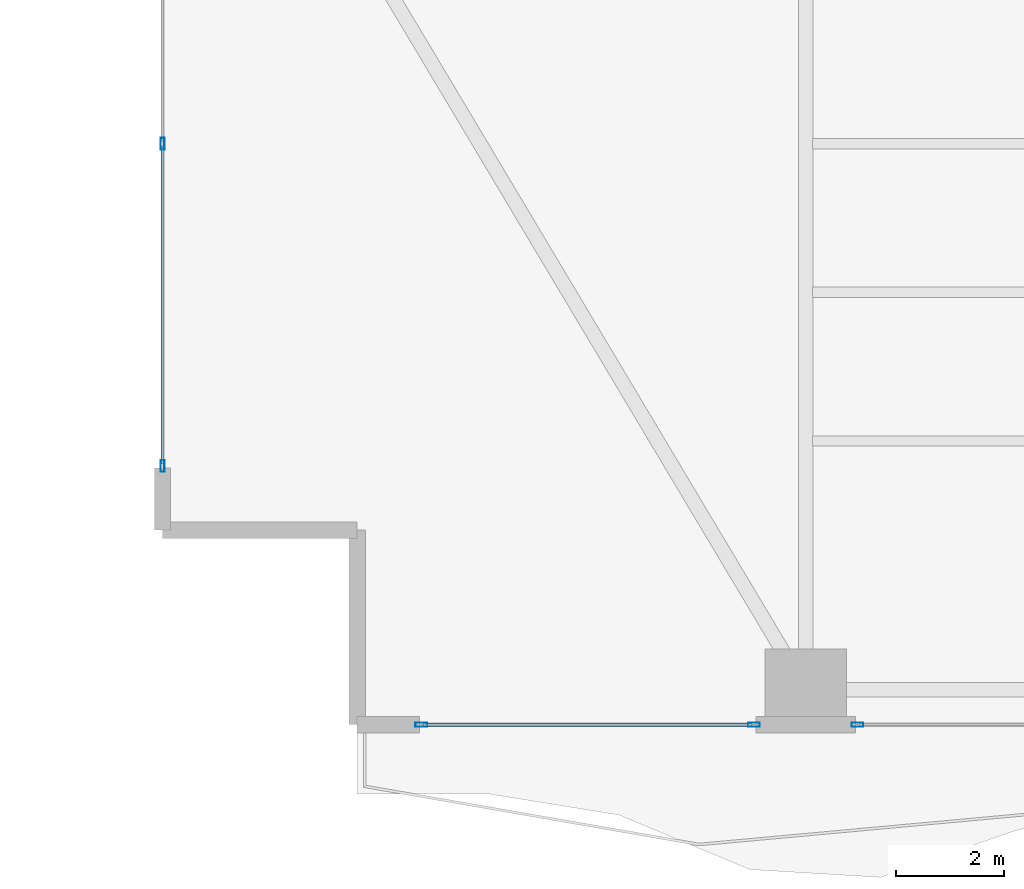
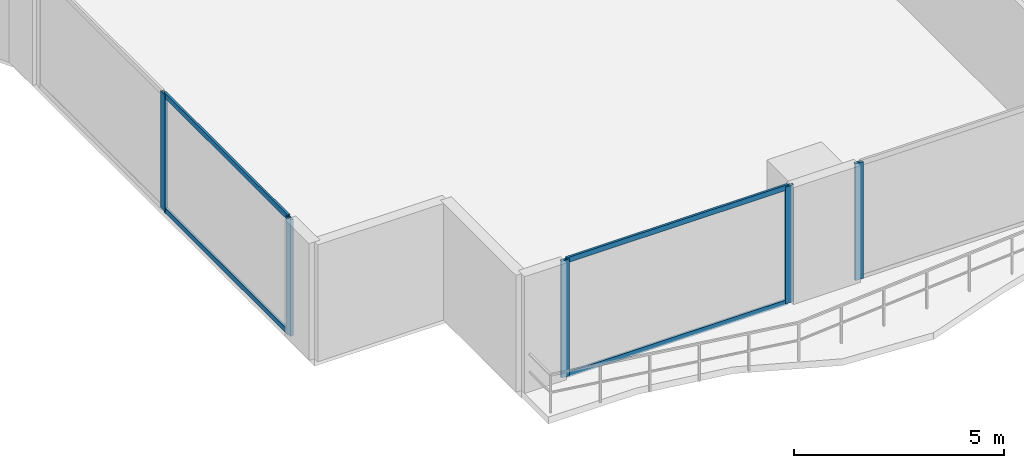
# One storey, part 2 of 30: 9 members, 3 elements without a shape of their own.
"""IFC4 building model written with IfcOpenShell, lengths in metres."""

from ifc_helpers import new_model, si_unit, direction, frame, origin, origin_2d, place, context, subcontext, project, spatial, hollow_rectangle, extrude, material, layer, layer_set, material_profile, profile_set, type_object, element, aggregate, save


model = new_model("IFC4")

# Units and contexts
model_context = context("Model", 3, precision=1e-05, world=origin(), true_north=direction((0.0, 1.0)))
body_context = subcontext(model_context, "Body", "Model", "MODEL_VIEW")
ifc_project = project(units=[si_unit("LENGTHUNIT", "METRE"), si_unit("AREAUNIT", "SQUARE_METRE"), si_unit("VOLUMEUNIT", "CUBIC_METRE"), si_unit("PLANEANGLEUNIT", "RADIAN"), si_unit("MASSUNIT", "GRAM", prefix="KILO")], contexts=[model_context])

# Site, building, storey
site_placement = place(None, origin())
site = spatial("IfcSite", under=ifc_project, at=site_placement, CompositionType="ELEMENT")
building_placement = place(site_placement, origin())
building = spatial("IfcBuilding", under=site, at=building_placement, Name="Zuhayl Quay Hotel", CompositionType="ELEMENT")
storey_placement = place(building_placement, frame((0.0, 0.0, 86.0)))
storey = spatial("IfcBuildingStorey", under=building, at=storey_placement, Name="L21", CompositionType="ELEMENT", Elevation=86.0)

# Curtain wall, members
ifc_material_1 = material(Name="Anodised Aluminium 6063-T6", Category="aluminium")
ifc_layer = layer(ifc_material_1, 0.18994140625, Name="Anodised Aluminium 6063-T6", Category="aluminium")
ifc_layer_set = layer_set([ifc_layer], Name="Anodised Aluminium 6063-T6")
curtain_wall_type = type_object("IfcCurtainWallType", Name="CW_SYS_Z1", PredefinedType="USERDEFINED", material=ifc_layer_set)
curtain_wall_1_placement = place(storey_placement, origin())
curtain_wall_1 = element("IfcCurtainWall", 1, at=curtain_wall_1_placement, inside=storey, type_object=curtain_wall_type, Name="L21 Curtain Wall ENV_L21_E02_CW1", ObjectType="UNITISED CURTAIN WALL", PredefinedType="USERDEFINED")
ifc_material_2 = material(Name="Black-anodised aluminium 6063-T6", Category="aluminium")
ifc_material_profile_1 = material_profile(ifc_material_2, hollow_rectangle(XDim=0.074951171875, YDim=0.219970703125, WallThickness=0.00390625, at=origin_2d()), Name="ALU220X75")
ifc_profile_set_1 = profile_set([ifc_material_profile_1], Name="Black-anodised aluminium 6063-T6")
member_type_1 = type_object("IfcMemberType", Name="MB_CW_MUL_220", PredefinedType="MULLION", material=ifc_profile_set_1)
member_1_placement = place(storey_placement, frame((-25.699951171875, -18.3125, 0.0), z_axis=(0.0, 0.0, 1.0), x_axis=(-1.0, 0.0, 0.0)))
member_1 = element("IfcMember", 2, at=member_1_placement, type_object=member_type_1, Name="CW-Z1 mullion 1", PredefinedType="MULLION", context=body_context, shape_type="SweptSolid", body=[
    extrude(hollow_rectangle(XDim=0.074951171875, YDim=0.219970703125, WallThickness=0.00390625, at=origin_2d()), origin(), (0.0, 0.0, 1.0), 3.389892578125),
])
member_2_placement = place(storey_placement, frame((-25.699951171875, -12.35009765625, 0.0), z_axis=(0.0, 0.0, 1.0), x_axis=(-1.0, 0.0, 0.0)))
member_2 = element("IfcMember", 3, at=member_2_placement, type_object=member_type_1, Name="CW-Z1 mullion 2", PredefinedType="MULLION", context=body_context, shape_type="SweptSolid", body=[
    extrude(hollow_rectangle(XDim=0.074951171875, YDim=0.219970703125, WallThickness=0.00390625, at=origin_2d()), origin(), (0.0, 0.0, 1.0), 3.389892578125),
])

# Curtain wall, member
curtain_wall_2_placement = place(storey_placement, origin())
curtain_wall_2 = element("IfcCurtainWall", 4, at=curtain_wall_2_placement, inside=storey, type_object=curtain_wall_type, Name="L21 Curtain Wall ENV_L21_S_CW5", ObjectType="UNITISED CURTAIN WALL", PredefinedType="USERDEFINED")
member_3_placement = place(storey_placement, frame((-12.842529296875, -23.10009765625, 0.0), z_axis=(0.0, 0.0, 1.0), x_axis=(0.0, -1.0, 0.0)))
member_3 = element("IfcMember", 5, at=member_3_placement, type_object=member_type_1, Name="CW-Z1 mullion 2", PredefinedType="MULLION", context=body_context, shape_type="SweptSolid", body=[
    extrude(hollow_rectangle(XDim=0.074951171875, YDim=0.219970703125, WallThickness=0.00390625, at=origin_2d()), origin(), (0.0, 0.0, 1.0), 3.389892578125),
])
aggregate(curtain_wall_2, [member_3])

# Curtain wall, members
curtain_wall_3_placement = place(storey_placement, origin())
curtain_wall_3 = element("IfcCurtainWall", 6, at=curtain_wall_3_placement, inside=storey, type_object=curtain_wall_type, Name="L21 Curtain Wall ENV_L21_S_CW6", ObjectType="UNITISED CURTAIN WALL", PredefinedType="USERDEFINED")
member_4_placement = place(storey_placement, frame((-14.757568359375, -23.10009765625, 0.0), z_axis=(0.0, 0.0, 1.0), x_axis=(0.0, -1.0, 0.0)))
member_4 = element("IfcMember", 7, at=member_4_placement, type_object=member_type_1, Name="CW-Z1 mullion 1", PredefinedType="MULLION", context=body_context, shape_type="SweptSolid", body=[
    extrude(hollow_rectangle(XDim=0.074951171875, YDim=0.219970703125, WallThickness=0.00390625, at=origin_2d()), origin(), (0.0, 0.0, 1.0), 3.389892578125),
])
member_5_placement = place(storey_placement, frame((-20.91259765625, -23.10009765625, 0.0), z_axis=(0.0, 0.0, 1.0), x_axis=(0.0, -1.0, 0.0)))
member_5 = element("IfcMember", 8, at=member_5_placement, type_object=member_type_1, Name="CW-Z1 mullion 2", PredefinedType="MULLION", context=body_context, shape_type="SweptSolid", body=[
    extrude(hollow_rectangle(XDim=0.074951171875, YDim=0.219970703125, WallThickness=0.00390625, at=origin_2d()), origin(), (0.0, 0.0, 1.0), 3.389892578125),
])

# Member
ifc_material_profile_2 = material_profile(ifc_material_2, hollow_rectangle(XDim=0.06005859375, YDim=0.14990234375, WallThickness=0.00341796875, at=origin_2d()), Name="ALU150X60")
ifc_profile_set_2 = profile_set([ifc_material_profile_2], Name="Black-anodised aluminium 6063-T6")
member_type_2 = type_object("IfcMemberType", Name="MB_CW_TRN_150", PredefinedType="USERDEFINED", material=ifc_profile_set_2)
member_6_placement = place(storey_placement, frame((-25.699951171875, -18.27490234375, 0.030029296875), z_axis=(0.0, 1.0, 0.0), x_axis=(-1.0, 0.0, 0.0)))
member_6 = element("IfcMember", 9, at=member_6_placement, type_object=member_type_2, Name="CW-Z1 transom 1.1", ObjectType="TRANSOM", PredefinedType="USERDEFINED", context=body_context, shape_type="SweptSolid", body=[
    extrude(hollow_rectangle(XDim=0.06005859375, YDim=0.14990234375, WallThickness=0.00341796875, at=origin_2d()), origin(), (0.0, 0.0, 1.0), 5.887451171875),
])

member_7_placement = place(storey_placement, frame((-25.699951171875, -18.27490234375, 3.360107421875), z_axis=(0.0, 1.0, 0.0), x_axis=(-1.0, 0.0, 0.0)))
member_7 = element("IfcMember", 10, at=member_7_placement, type_object=member_type_2, Name="CW-Z1 transom 1.2", ObjectType="TRANSOM", PredefinedType="USERDEFINED", context=body_context, shape_type="SweptSolid", body=[
    extrude(hollow_rectangle(XDim=0.06005859375, YDim=0.14990234375, WallThickness=0.00341796875, at=origin_2d()), origin(), (0.0, 0.0, 1.0), 5.887451171875),
])

aggregate(curtain_wall_1, [member_1, member_2, member_6, member_7])

member_8_placement = place(storey_placement, frame((-14.794921875, -23.10009765625, 0.030029296875), z_axis=(-1.0, 0.0, 0.0), x_axis=(0.0, -1.0, 0.0)))
member_8 = element("IfcMember", 11, at=member_8_placement, type_object=member_type_2, Name="CW-Z1 transom 1.1", ObjectType="TRANSOM", PredefinedType="USERDEFINED", context=body_context, shape_type="SweptSolid", body=[
    extrude(hollow_rectangle(XDim=0.06005859375, YDim=0.14990234375, WallThickness=0.00341796875, at=origin_2d()), origin(), (0.0, 0.0, 1.0), 6.080078125),
])

member_9_placement = place(storey_placement, frame((-14.794921875, -23.10009765625, 3.360107421875), z_axis=(-1.0, 0.0, 0.0), x_axis=(0.0, -1.0, 0.0)))
member_9 = element("IfcMember", 12, at=member_9_placement, type_object=member_type_2, Name="CW-Z1 transom 1.2", ObjectType="TRANSOM", PredefinedType="USERDEFINED", context=body_context, shape_type="SweptSolid", body=[
    extrude(hollow_rectangle(XDim=0.06005859375, YDim=0.14990234375, WallThickness=0.00341796875, at=origin_2d()), origin(), (0.0, 0.0, 1.0), 6.080078125),
])

aggregate(curtain_wall_3, [member_4, member_5, member_8, member_9])

save(model, "model.ifc")
